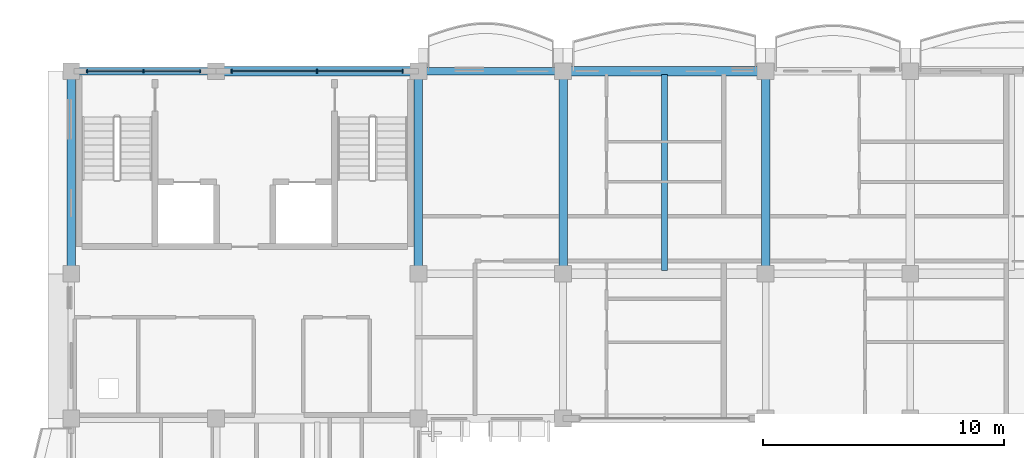
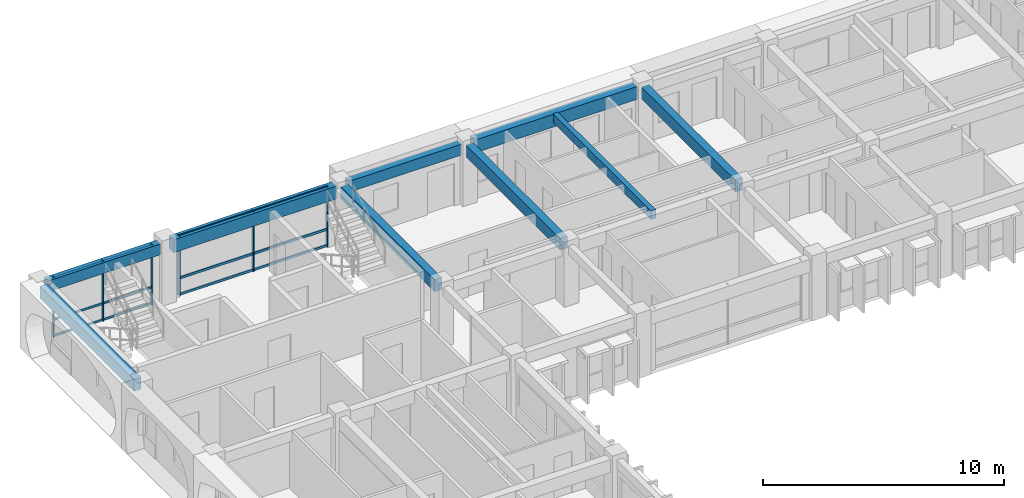
# One storey, part 11 of 79: 12 members, 9 beams, 2 elements without a shape of their own.
"""IFC4 building model written with IfcOpenShell, lengths in metres."""

from ifc_helpers import new_model, si_unit, direction, frame, origin, origin_2d, place, context, subcontext, project, spatial, rectangle, extrude, material, material_profile, profile_set, type_object, element, aggregate, save


model = new_model("IFC4")

# Units and contexts
model_context = context("Model", 3, precision=1e-05, world=origin(), true_north=direction((0.0, 1.0)))
body_context = subcontext(model_context, "Body", "Model", "MODEL_VIEW")
ifc_project = project(units=[si_unit("LENGTHUNIT", "METRE"), si_unit("AREAUNIT", "SQUARE_METRE"), si_unit("VOLUMEUNIT", "CUBIC_METRE"), si_unit("PLANEANGLEUNIT", "RADIAN"), si_unit("MASSUNIT", "GRAM", prefix="KILO"), si_unit("THERMODYNAMICTEMPERATUREUNIT", "KELVIN")], contexts=[model_context])

# Site, building, storey
site_placement = place(None, origin())
site = spatial("IfcSite", under=ifc_project, at=site_placement, CompositionType="ELEMENT")
building_placement = place(site_placement, origin())
building = spatial("IfcBuilding", under=site, at=building_placement, Name="Thalorik Housing Commons", CompositionType="ELEMENT")
storey_placement = place(building_placement, frame((0.0, 0.0, 11.39990234375)))
storey = spatial("IfcBuildingStorey", under=building, at=storey_placement, Name="L03", CompositionType="ELEMENT", Elevation=11.39990234375)

# Curtain wall, members
ifc_material_1 = material(Name="Anodised aluminium and solar-control low-E glass", Category="aluminium")
curtain_wall_type = type_object("IfcCurtainWallType", Name="ARC-CW-CORE", PredefinedType="USERDEFINED", material=ifc_material_1)
curtain_wall_1_placement = place(storey_placement, origin())
curtain_wall_1 = element("IfcCurtainWall", 1, at=curtain_wall_1_placement, inside=storey, type_object=curtain_wall_type, Name="L03 Curtain Wall CW-CORE-L03-A-015", ObjectType="CURTAIN WALL", PredefinedType="USERDEFINED")
ifc_material_2 = material(Name="Anodised aluminium 6063-T6", Category="aluminium")
ifc_material_profile_1 = material_profile(ifc_material_2, rectangle(XDim=0.054931640625, YDim=0.139892578125, at=origin_2d()), Name="ALU MUL 55x140", Category="aluminium")
ifc_profile_set_1 = profile_set([ifc_material_profile_1], Name="Anodised aluminium 6063-T6")
member_type_1 = type_object("IfcMemberType", Name="ARC-CW-MUL-55x140", PredefinedType="MULLION", material=ifc_profile_set_1)
member_1_placement = place(storey_placement, frame((13.75, 123.60009765625, 0.0), z_axis=(0.0, 0.0, 1.0), x_axis=(-1.0, 0.0, 0.0)))
member_1 = element("IfcMember", 2, at=member_1_placement, type_object=member_type_1, Name="CW-CORE-L03-A-015 Mullion 1", PredefinedType="MULLION", context=body_context, shape_type="SweptSolid", body=[
    extrude(rectangle(XDim=0.054931640625, YDim=0.139892578125, at=origin_2d()), origin(), (0.0, 0.0, 1.0), 3.0400390625),
])
member_2_placement = place(storey_placement, frame((11.39990234375, 123.60009765625, 0.0), z_axis=(0.0, 0.0, 1.0), x_axis=(-1.0, 0.0, 0.0)))
member_2 = element("IfcMember", 3, at=member_2_placement, type_object=member_type_1, Name="CW-CORE-L03-A-015 Mullion 2", PredefinedType="MULLION", context=body_context, shape_type="SweptSolid", body=[
    extrude(rectangle(XDim=0.054931640625, YDim=0.139892578125, at=origin_2d()), origin(), (0.0, 0.0, 1.0), 3.0400390625),
])
member_3_placement = place(storey_placement, frame((9.050048828125, 123.60009765625, 0.0), z_axis=(0.0, 0.0, 1.0), x_axis=(-1.0, 0.0, 0.0)))
member_3 = element("IfcMember", 4, at=member_3_placement, type_object=member_type_1, Name="CW-CORE-L03-A-015 Mullion 3", PredefinedType="MULLION", context=body_context, shape_type="SweptSolid", body=[
    extrude(rectangle(XDim=0.054931640625, YDim=0.139892578125, at=origin_2d()), origin(), (0.0, 0.0, 1.0), 3.0400390625),
])

curtain_wall_2_placement = place(storey_placement, origin())
curtain_wall_2 = element("IfcCurtainWall", 5, at=curtain_wall_2_placement, inside=storey, type_object=curtain_wall_type, Name="L03 Curtain Wall CW-CORE-L03-A-014", ObjectType="CURTAIN WALL", PredefinedType="USERDEFINED")
ifc_material_profile_2 = material_profile(ifc_material_2, rectangle(XDim=0.06005859375, YDim=0.159912109375, at=origin_2d()), Name="ALU MUL 60x160", Category="aluminium")
ifc_profile_set_2 = profile_set([ifc_material_profile_2], Name="Anodised aluminium 6063-T6")
member_type_2 = type_object("IfcMemberType", Name="ARC-CW-MUL-60x160", PredefinedType="MULLION", material=ifc_profile_set_2)
member_4_placement = place(storey_placement, frame((22.14990234375, 123.60009765625, 0.0), z_axis=(0.0, 0.0, 1.0), x_axis=(-1.0, 0.0, 0.0)))
member_4 = element("IfcMember", 6, at=member_4_placement, type_object=member_type_2, Name="CW-CORE-L03-A-014 Mullion 1", PredefinedType="MULLION", context=body_context, shape_type="SweptSolid", body=[
    extrude(rectangle(XDim=0.06005859375, YDim=0.159912109375, at=origin_2d()), origin(), (0.0, 0.0, 1.0), 3.0400390625),
])
member_5_placement = place(storey_placement, frame((18.60009765625, 123.60009765625, 0.0), z_axis=(0.0, 0.0, 1.0), x_axis=(-1.0, 0.0, 0.0)))
member_5 = element("IfcMember", 7, at=member_5_placement, type_object=member_type_2, Name="CW-CORE-L03-A-014 Mullion 2", PredefinedType="MULLION", context=body_context, shape_type="SweptSolid", body=[
    extrude(rectangle(XDim=0.06005859375, YDim=0.159912109375, at=origin_2d()), origin(), (0.0, 0.0, 1.0), 3.0400390625),
])
member_6_placement = place(storey_placement, frame((15.050048828125, 123.60009765625, 0.0), z_axis=(0.0, 0.0, 1.0), x_axis=(-1.0, 0.0, 0.0)))
member_6 = element("IfcMember", 8, at=member_6_placement, type_object=member_type_2, Name="CW-CORE-L03-A-014 Mullion 3", PredefinedType="MULLION", context=body_context, shape_type="SweptSolid", body=[
    extrude(rectangle(XDim=0.06005859375, YDim=0.159912109375, at=origin_2d()), origin(), (0.0, 0.0, 1.0), 3.0400390625),
])

# Member
ifc_material_profile_3 = material_profile(ifc_material_2, rectangle(XDim=0.054931640625, YDim=0.10498046875, at=origin_2d()), Name="ALU TRN 55x105", Category="aluminium")
ifc_profile_set_3 = profile_set([ifc_material_profile_3], Name="Anodised aluminium 6063-T6")
member_type_3 = type_object("IfcMemberType", Name="ARC-CW-TRN-55x105", PredefinedType="USERDEFINED", material=ifc_profile_set_3)
member_7_placement = place(storey_placement, frame((13.75, 123.60009765625, 0.05517578125), z_axis=(-1.0, 0.0, 0.0), x_axis=(0.0, -1.0, 0.0)))
member_7 = element("IfcMember", 9, at=member_7_placement, type_object=member_type_3, Name="CW-CORE-L03-A-015 Transom 1", ObjectType="TRANSOM", PredefinedType="USERDEFINED", context=body_context, shape_type="SweptSolid", body=[
    extrude(rectangle(XDim=0.054931640625, YDim=0.10498046875, at=origin_2d()), origin(), (0.0, 0.0, 1.0), 4.699951171875),
])

member_8_placement = place(storey_placement, frame((13.75, 123.60009765625, 0.880126953125), z_axis=(-1.0, 0.0, 0.0), x_axis=(0.0, -1.0, 0.0)))
member_8 = element("IfcMember", 10, at=member_8_placement, type_object=member_type_3, Name="CW-CORE-L03-A-015 Transom 2", ObjectType="TRANSOM", PredefinedType="USERDEFINED", context=body_context, shape_type="SweptSolid", body=[
    extrude(rectangle(XDim=0.054931640625, YDim=0.10498046875, at=origin_2d()), origin(), (0.0, 0.0, 1.0), 4.699951171875),
])

member_9_placement = place(storey_placement, frame((13.75, 123.60009765625, 2.985107421875), z_axis=(-1.0, 0.0, 0.0), x_axis=(0.0, -1.0, 0.0)))
member_9 = element("IfcMember", 11, at=member_9_placement, type_object=member_type_3, Name="CW-CORE-L03-A-015 Transom 3", ObjectType="TRANSOM", PredefinedType="USERDEFINED", context=body_context, shape_type="SweptSolid", body=[
    extrude(rectangle(XDim=0.054931640625, YDim=0.10498046875, at=origin_2d()), origin(), (0.0, 0.0, 1.0), 4.699951171875),
])

aggregate(curtain_wall_1, [member_1, member_2, member_3, member_7, member_8, member_9])

ifc_material_profile_4 = material_profile(ifc_material_2, rectangle(XDim=0.06005859375, YDim=0.1201171875, at=origin_2d()), Name="ALU TRN 60x120", Category="aluminium")
ifc_profile_set_4 = profile_set([ifc_material_profile_4], Name="Anodised aluminium 6063-T6")
member_type_4 = type_object("IfcMemberType", Name="ARC-CW-TRN-60x120", PredefinedType="USERDEFINED", material=ifc_profile_set_4)
member_10_placement = place(storey_placement, frame((22.14990234375, 123.60009765625, 0.05517578125), z_axis=(-1.0, 0.0, 0.0), x_axis=(0.0, -1.0, 0.0)))
member_10 = element("IfcMember", 12, at=member_10_placement, type_object=member_type_4, Name="CW-CORE-L03-A-014 Transom 1", ObjectType="TRANSOM", PredefinedType="USERDEFINED", context=body_context, shape_type="SweptSolid", body=[
    extrude(rectangle(XDim=0.06005859375, YDim=0.1201171875, at=origin_2d()), origin(), (0.0, 0.0, 1.0), 7.099853515625),
])

member_11_placement = place(storey_placement, frame((22.14990234375, 123.60009765625, 0.880126953125), z_axis=(-1.0, 0.0, 0.0), x_axis=(0.0, -1.0, 0.0)))
member_11 = element("IfcMember", 13, at=member_11_placement, type_object=member_type_4, Name="CW-CORE-L03-A-014 Transom 2", ObjectType="TRANSOM", PredefinedType="USERDEFINED", context=body_context, shape_type="SweptSolid", body=[
    extrude(rectangle(XDim=0.06005859375, YDim=0.1201171875, at=origin_2d()), origin(), (0.0, 0.0, 1.0), 7.099853515625),
])

member_12_placement = place(storey_placement, frame((22.14990234375, 123.60009765625, 2.985107421875), z_axis=(-1.0, 0.0, 0.0), x_axis=(0.0, -1.0, 0.0)))
member_12 = element("IfcMember", 14, at=member_12_placement, type_object=member_type_4, Name="CW-CORE-L03-A-014 Transom 3", ObjectType="TRANSOM", PredefinedType="USERDEFINED", context=body_context, shape_type="SweptSolid", body=[
    extrude(rectangle(XDim=0.06005859375, YDim=0.1201171875, at=origin_2d()), origin(), (0.0, 0.0, 1.0), 7.099853515625),
])

aggregate(curtain_wall_2, [member_4, member_5, member_6, member_10, member_11, member_12])

# Beams
ifc_material_3 = material(Name="Precast concrete C40/50", Category="concrete")
ifc_material_profile_5 = material_profile(ifc_material_3, rectangle(XDim=0.320068359375, YDim=0.550048828125, at=origin_2d()), Name="PC 320x550", Category="concrete")
ifc_profile_set_5 = profile_set([ifc_material_profile_5], Name="Precast concrete C40/50")
beam_type_1 = type_object("IfcBeamType", Name="STR-BM-PC320x550", PredefinedType="BEAM", material=ifc_profile_set_5)
beam_1_placement = place(storey_placement, frame((8.699951171875, 123.60009765625, 2.76513671875), z_axis=(1.0, 0.0, 0.0), x_axis=(0.0, 1.0, 0.0)))
element("IfcBeam", 15, at=beam_1_placement, inside=storey, type_object=beam_type_1, Name="L03 Beam B-550", PredefinedType="BEAM", context=body_context, shape_type="SweptSolid", body=[
    extrude(rectangle(XDim=0.320068359375, YDim=0.550048828125, at=origin_2d()), origin(), (0.0, 0.0, 1.0), 5.400146484375),
])
beam_2_placement = place(storey_placement, frame((23.10009765625, 123.60009765625, 2.76513671875), z_axis=(1.0, 0.0, 0.0), x_axis=(0.0, 1.0, 0.0)))
element("IfcBeam", 16, at=beam_2_placement, inside=storey, type_object=beam_type_1, Name="L03 Beam B-550", PredefinedType="BEAM", context=body_context, shape_type="SweptSolid", body=[
    extrude(rectangle(XDim=0.320068359375, YDim=0.550048828125, at=origin_2d()), origin(), (0.0, 0.0, 1.0), 5.39990234375),
])
ifc_material_profile_6 = material_profile(ifc_material_3, rectangle(XDim=0.35009765625, YDim=0.60009765625, at=origin_2d()), Name="PC 350x600", Category="concrete")
ifc_profile_set_6 = profile_set([ifc_material_profile_6], Name="Precast concrete C40/50")
beam_type_2 = type_object("IfcBeamType", Name="STR-BM-PC350x600", PredefinedType="BEAM", material=ifc_profile_set_6)
for number, where, z_axis, x_axis, name in (
    (17, (8.39990234375, 115.5, 2.739990234375), (0.0, 1.0, 0.0), (-1.0, 0.0, 0.0), "L03 Beam B-600"),
    (18, (22.800048828125, 115.5, 2.739990234375), (0.0, 1.0, 0.0), (-1.0, 0.0, 0.0), "L03 Beam B-600"),
    (19, (28.800048828125, 115.5, 2.739990234375), (0.0, 1.0, 0.0), (-1.0, 0.0, 0.0), "L03 Beam B-600"),
    (20, (37.199951171875, 115.5, 2.739990234375), (0.0, 1.0, 0.0), (-1.0, 0.0, 0.0), "L03 Beam B-600"),
):
    element("IfcBeam", number, at=place(storey_placement, frame(where, z_axis=z_axis, x_axis=x_axis)), inside=storey, type_object=beam_type_2, Name=name, PredefinedType="BEAM", context=body_context, shape_type="SweptSolid", body=[
        extrude(rectangle(XDim=0.35009765625, YDim=0.60009765625, at=origin_2d()), origin(), (0.0, 0.0, 1.0), 7.800048828125),
    ])
ifc_material_profile_7 = material_profile(ifc_material_3, rectangle(XDim=0.3798828125, YDim=0.64990234375, at=origin_2d()), Name="PC 380x650", Category="concrete")
ifc_profile_set_7 = profile_set([ifc_material_profile_7], Name="Precast concrete C40/50")
beam_type_3 = type_object("IfcBeamType", Name="STR-BM-PC380x650", PredefinedType="BEAM", material=ifc_profile_set_7)
beam_3_placement = place(storey_placement, frame((14.699951171875, 123.60009765625, 2.715087890625), z_axis=(1.0, 0.0, 0.0), x_axis=(0.0, 1.0, 0.0)))
element("IfcBeam", 21, at=beam_3_placement, inside=storey, type_object=beam_type_3, Name="L03 Beam B-650", PredefinedType="BEAM", context=body_context, shape_type="SweptSolid", body=[
    extrude(rectangle(XDim=0.3798828125, YDim=0.64990234375, at=origin_2d()), origin(), (0.0, 0.0, 1.0), 7.800048828125),
])
beam_4_placement = place(storey_placement, frame((29.10009765625, 123.60009765625, 2.715087890625), z_axis=(1.0, 0.0, 0.0), x_axis=(0.0, 1.0, 0.0)))
element("IfcBeam", 22, at=beam_4_placement, inside=storey, type_object=beam_type_3, Name="L03 Beam B-650", PredefinedType="BEAM", context=body_context, shape_type="SweptSolid", body=[
    extrude(rectangle(XDim=0.3798828125, YDim=0.64990234375, at=origin_2d()), origin(), (0.0, 0.0, 1.0), 7.7998046875),
])
ifc_material_profile_8 = material_profile(ifc_material_3, rectangle(XDim=0.239990234375, YDim=0.43994140625, at=origin_2d()), Name="PC JST 240x440", Category="concrete")
ifc_profile_set_8 = profile_set([ifc_material_profile_8], Name="Precast concrete C40/50")
beam_type_4 = type_object("IfcBeamType", Name="STR-JST-PC240x440", PredefinedType="JOIST", material=ifc_profile_set_8)
beam_5_placement = place(storey_placement, frame((33.0, 115.340087890625, 2.820068359375), z_axis=(0.0, 1.0, 0.0), x_axis=(-1.0, 0.0, 0.0)))
element("IfcBeam", 23, at=beam_5_placement, inside=storey, type_object=beam_type_4, Name="L03 Beam J-440", PredefinedType="JOIST", context=body_context, shape_type="SweptSolid", body=[
    extrude(rectangle(XDim=0.239990234375, YDim=0.43994140625, at=origin_2d()), origin(), (0.0, 0.0, 1.0), 8.119873046875),
])

save(model, "model.ifc")
